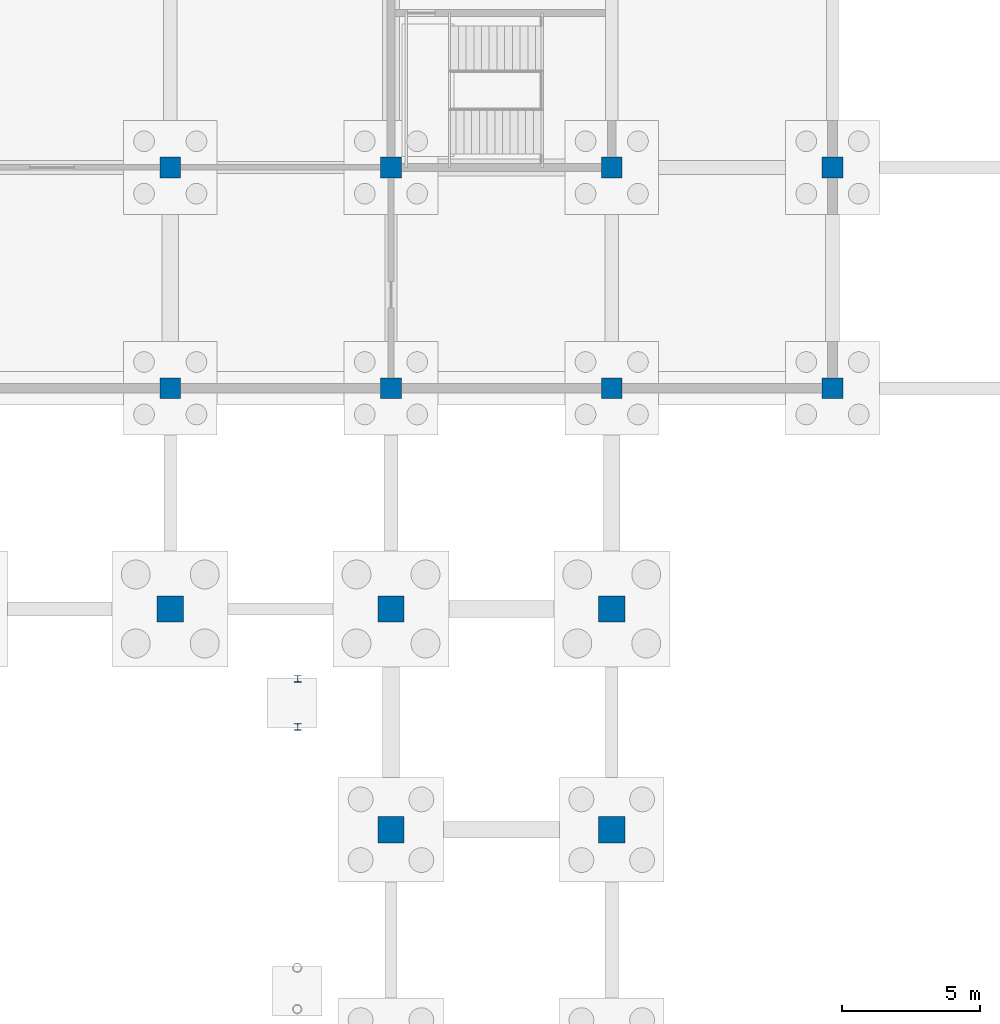
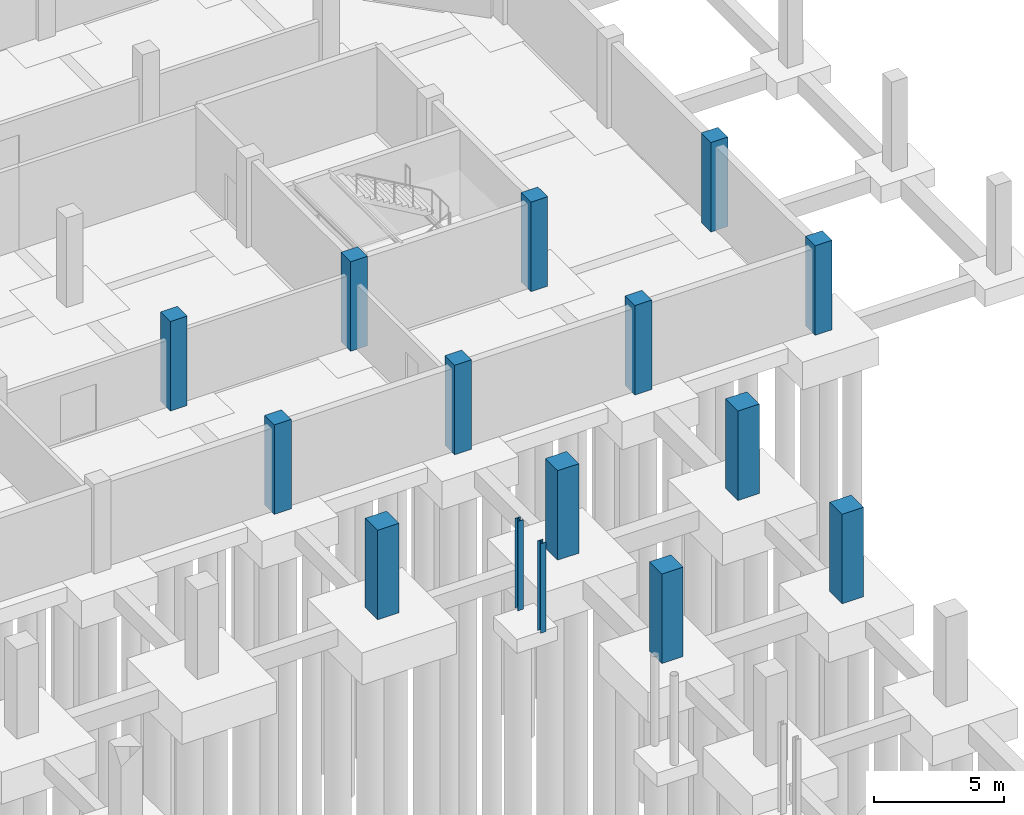
# One storey, part 20 of 32: 15 columns.
"""IFC4 building model written with IfcOpenShell, lengths in metres."""

from ifc_helpers import new_model, si_unit, direction, frame, origin, origin_2d, place, context, subcontext, project, spatial, rectangle, i_section, extrude, material, material_profile, profile_set, type_object, element, save


model = new_model("IFC4")

# Units and contexts
model_context = context("Model", 3, precision=1e-05, world=origin(), true_north=direction((0.0, 1.0)))
body_context = subcontext(model_context, "Body", "Model", "MODEL_VIEW")
ifc_project = project(units=[si_unit("LENGTHUNIT", "METRE"), si_unit("AREAUNIT", "SQUARE_METRE"), si_unit("VOLUMEUNIT", "CUBIC_METRE"), si_unit("PLANEANGLEUNIT", "RADIAN"), si_unit("MASSUNIT", "GRAM", prefix="KILO")], contexts=[model_context])

# Site, building, storey
site_placement = place(None, origin())
site = spatial("IfcSite", under=ifc_project, at=site_placement, CompositionType="ELEMENT")
building_placement = place(site_placement, origin())
building = spatial("IfcBuilding", under=site, at=building_placement, Name="Tenunan Teduh Sports Hall", CompositionType="ELEMENT")
storey_placement = place(building_placement, frame((0.0, 0.0, -4.199951171875)))
storey = spatial("IfcBuildingStorey", under=building, at=storey_placement, Name="B1", CompositionType="ELEMENT", Elevation=-4.199951171875)

# Columns
ifc_material_1 = material(Name="Concrete C40/50", Category="concrete")
ifc_material_profile_1 = material_profile(ifc_material_1, rectangle(XDim=0.75, YDim=0.75, at=origin_2d()), Name="RC 750x750")
ifc_profile_set_1 = profile_set([ifc_material_profile_1], Name="Concrete C40/50")
column_type_1 = type_object("IfcColumnType", Name="COL-RC-750", PredefinedType="COLUMN", material=ifc_profile_set_1)
for number, where, z_axis, x_axis, name in (
    (1, (138.0, 86.0, 0.0), (0.0, 0.0, 1.0), (1.0, 0.0, 0.0), "COL-C-06-B1-181"),
    (2, (138.0, 94.0, 0.0), (0.0, 0.0, 1.0), (1.0, 0.0, 0.0), "COL-C-06-B1-182"),
    (3, (146.0, 86.0, 0.0), (0.0, 0.0, 1.0), (1.0, 0.0, 0.0), "COL-C-06-B1-194"),
    (4, (146.0, 94.0, 0.0), (0.0, 0.0, 1.0), (1.0, 0.0, 0.0), "COL-C-06-B1-195"),
    (5, (154.0, 86.0, 0.0), (0.0, 0.0, 1.0), (1.0, 0.0, 0.0), "COL-C-06-B1-207"),
    (6, (154.0, 94.0, 0.0), (0.0, 0.0, 1.0), (1.0, 0.0, 0.0), "COL-C-06-B1-208"),
    (7, (162.0, 86.0, 0.0), (0.0, 0.0, 1.0), (1.0, 0.0, 0.0), "COL-C-06-B1-216"),
    (8, (162.0, 94.0, 0.0), (0.0, 0.0, 1.0), (1.0, 0.0, 0.0), "COL-C-06-B1-217"),
):
    element("IfcColumn", number, at=place(storey_placement, frame(where, z_axis=z_axis, x_axis=x_axis)), inside=storey, type_object=column_type_1, Name=name, PredefinedType="COLUMN", context=body_context, shape_type="SweptSolid", body=[
        extrude(rectangle(XDim=0.75, YDim=0.75, at=origin_2d()), origin(), (0.0, 0.0, 1.0), 4.199951171875),
    ])
ifc_material_2 = material(Name="Concrete C40/50", Category="concrete")
ifc_material_profile_2 = material_profile(ifc_material_2, rectangle(XDim=0.949951171875, YDim=0.949951171875, at=origin_2d()), Name="RC 950x950")
ifc_profile_set_2 = profile_set([ifc_material_profile_2], Name="Concrete C40/50")
column_type_2 = type_object("IfcColumnType", Name="COL-RC-950", PredefinedType="COLUMN", material=ifc_profile_set_2)
for number, where, z_axis, x_axis, name in (
    (9, (138.0, 78.0, 0.0), (0.0, 0.0, 1.0), (1.0, 0.0, 0.0), "COL-C-02-B1-180"),
    (10, (146.0, 70.0, 0.0), (0.0, 0.0, 1.0), (1.0, 0.0, 0.0), "COL-C-02-B1-192"),
    (11, (146.0, 78.0, 0.0), (0.0, 0.0, 1.0), (1.0, 0.0, 0.0), "COL-C-02-B1-193"),
    (12, (154.0, 70.0, 0.0), (0.0, 0.0, 1.0), (1.0, 0.0, 0.0), "COL-C-02-B1-205"),
    (13, (154.0, 78.0, 0.0), (0.0, 0.0, 1.0), (1.0, 0.0, 0.0), "COL-C-02-B1-206"),
):
    element("IfcColumn", number, at=place(storey_placement, frame(where, z_axis=z_axis, x_axis=x_axis)), inside=storey, type_object=column_type_2, Name=name, PredefinedType="COLUMN", context=body_context, shape_type="SweptSolid", body=[
        extrude(rectangle(XDim=0.949951171875, YDim=0.949951171875, at=origin_2d()), origin(), (0.0, 0.0, 1.0), 4.199951171875),
    ])
ifc_material_3 = material(Name="Steel S355", Category="steel")
ifc_material_profile_3 = material_profile(ifc_material_3, i_section(OverallWidth=0.239990234375, OverallDepth=0.239990234375, WebThickness=0.010009765625, FlangeThickness=0.01708984375, FilletRadius=0.02099609375, at=origin_2d()), Name="HEB 240")
ifc_profile_set_3 = profile_set([ifc_material_profile_3], Name="Steel S355")
column_type_3 = type_object("IfcColumnType", Name="COL-ST-HEB240", PredefinedType="COLUMN", material=ifc_profile_set_3)
for number, where, z_axis, x_axis, name in (
    (14, (142.6201171875, 73.72998046875, 0.0), (0.0, 0.0, 1.0), (1.0, 0.0, 0.0), "COL-SC-04-FST-8-1-B1"),
    (15, (142.6201171875, 75.469970703125, 0.0), (0.0, 0.0, 1.0), (1.0, 0.0, 0.0), "COL-SC-04-FST-8-2-B1"),
):
    element("IfcColumn", number, at=place(storey_placement, frame(where, z_axis=z_axis, x_axis=x_axis)), inside=storey, type_object=column_type_3, Name=name, PredefinedType="COLUMN", context=body_context, shape_type="SweptSolid", body=[
        extrude(i_section(OverallWidth=0.239990234375, OverallDepth=0.239990234375, WebThickness=0.010009765625, FlangeThickness=0.01708984375, FilletRadius=0.02099609375, at=origin_2d()), origin(), (0.0, 0.0, 1.0), 4.199951171875),
    ])

save(model, "model.ifc")
